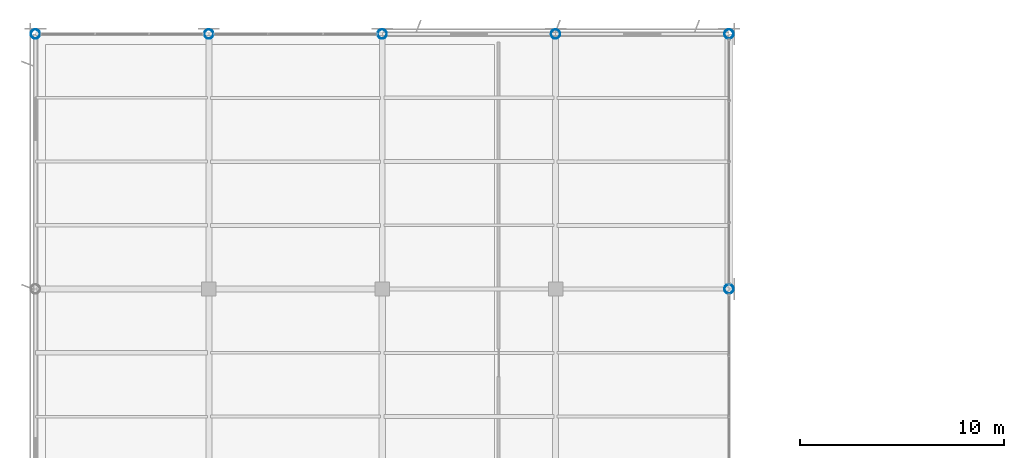
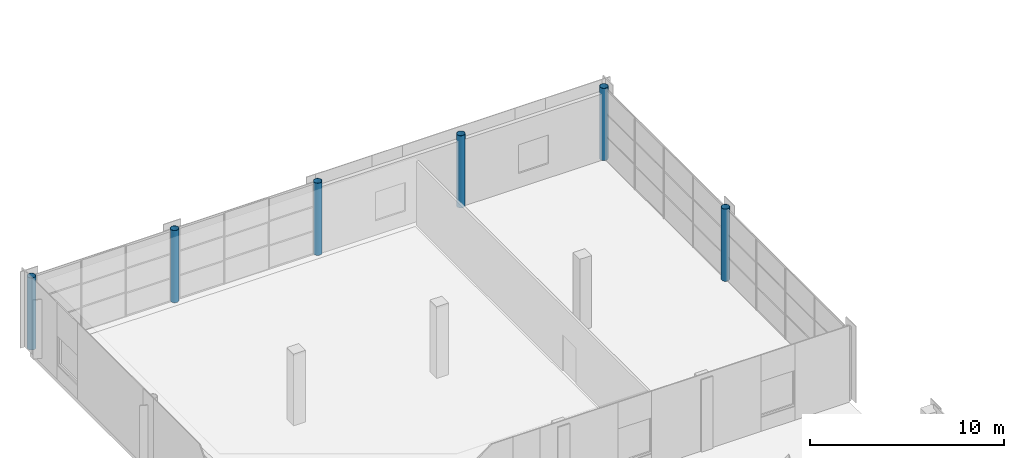
# One storey, part 5 of 101: 6 columns.
"""IFC4 building model written with IfcOpenShell, lengths in metres."""

from ifc_helpers import new_model, si_unit, direction, frame, origin, origin_2d, place, context, subcontext, project, spatial, hollow_circle, extrude, material, material_profile, profile_set, type_object, element, save


model = new_model("IFC4")

# Units and contexts
model_context = context("Model", 3, precision=1e-05, world=origin(), true_north=direction((0.0, 1.0)))
body_context = subcontext(model_context, "Body", "Model", "MODEL_VIEW")
ifc_project = project(units=[si_unit("LENGTHUNIT", "METRE"), si_unit("AREAUNIT", "SQUARE_METRE"), si_unit("VOLUMEUNIT", "CUBIC_METRE"), si_unit("PLANEANGLEUNIT", "RADIAN"), si_unit("MASSUNIT", "GRAM", prefix="KILO")], contexts=[model_context])

# Site, building, storey
site_placement = place(None, origin())
site = spatial("IfcSite", under=ifc_project, at=site_placement, CompositionType="ELEMENT")
building_placement = place(site_placement, origin())
building = spatial("IfcBuilding", under=site, at=building_placement, Name="Solvikara Media Centre", CompositionType="ELEMENT")
storey_placement = place(building_placement, frame((0.0, 0.0, 10.199951171875)))
storey = spatial("IfcBuildingStorey", under=building, at=storey_placement, Name="L02", CompositionType="ELEMENT", Elevation=10.199951171875)

# Columns
ifc_material = material(Name="Steel S355JR", Category="steel")
ifc_material_profile = material_profile(ifc_material, hollow_circle(Radius=0.228515625, WallThickness=0.01611328125, at=origin_2d()), Name="CHS 457x16")
ifc_profile_set = profile_set([ifc_material_profile], Name="Steel S355JR")
column_type = type_object("IfcColumnType", Name="CL-26", PredefinedType="COLUMN", material=ifc_profile_set)
for number, where, z_axis, x_axis, name in (
    (1, (0.0, 114.0, 0.0), (0.0, 0.0, 1.0), (1.0, 0.0, 0.0), "C-L02-0000-1140"),
    (2, (8.5, 114.0, 0.0), (0.0, 0.0, 1.0), (1.0, 0.0, 0.0), "C-L02-0085-1140"),
    (3, (17.0, 114.0, 0.0), (0.0, 0.0, 1.0), (1.0, 0.0, 0.0), "C-L02-0170-1140"),
    (4, (25.5, 114.0, 0.0), (0.0, 0.0, 1.0), (1.0, 0.0, 0.0), "C-L02-0255-1140"),
    (5, (34.0, 101.5, 0.0), (0.0, 0.0, 1.0), (1.0, 0.0, 0.0), "C-L02-0340-1015"),
    (6, (34.0, 114.0, 0.0), (0.0, 0.0, 1.0), (1.0, 0.0, 0.0), "C-L02-0340-1140"),
):
    element("IfcColumn", number, at=place(storey_placement, frame(where, z_axis=z_axis, x_axis=x_axis)), inside=storey, type_object=column_type, Name=name, PredefinedType="COLUMN", context=body_context, shape_type="SweptSolid", body=[
        extrude(hollow_circle(Radius=0.228515625, WallThickness=0.01611328125, at=origin_2d()), origin(), (0.0, 0.0, 1.0), 4.530029296875),
    ])

save(model, "model.ifc")
